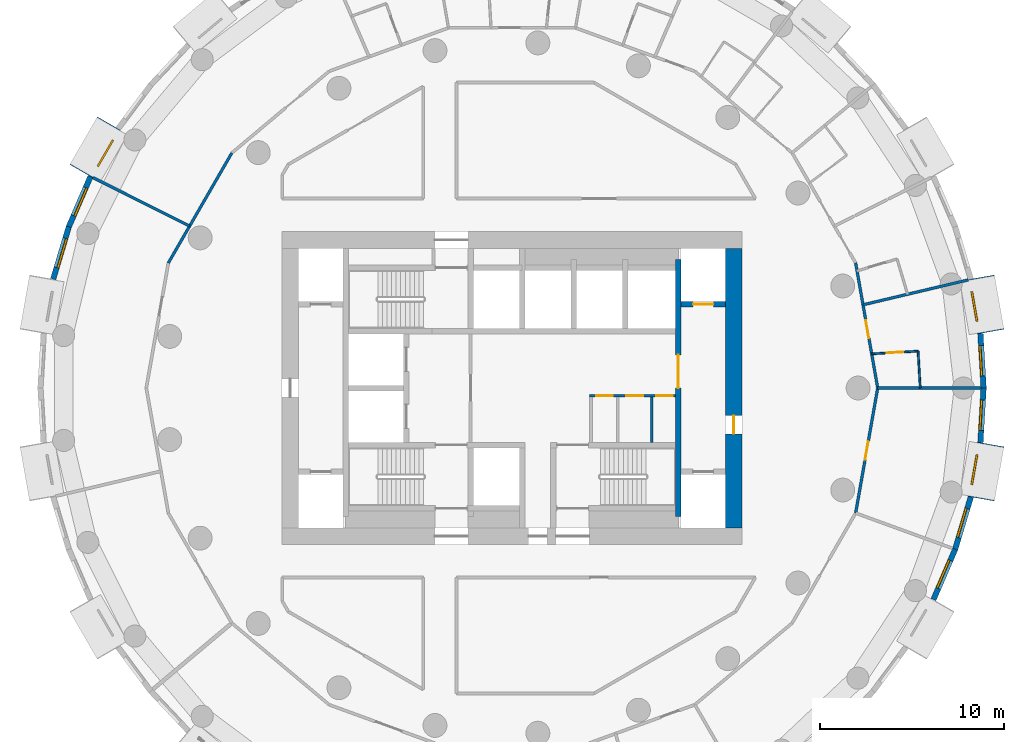
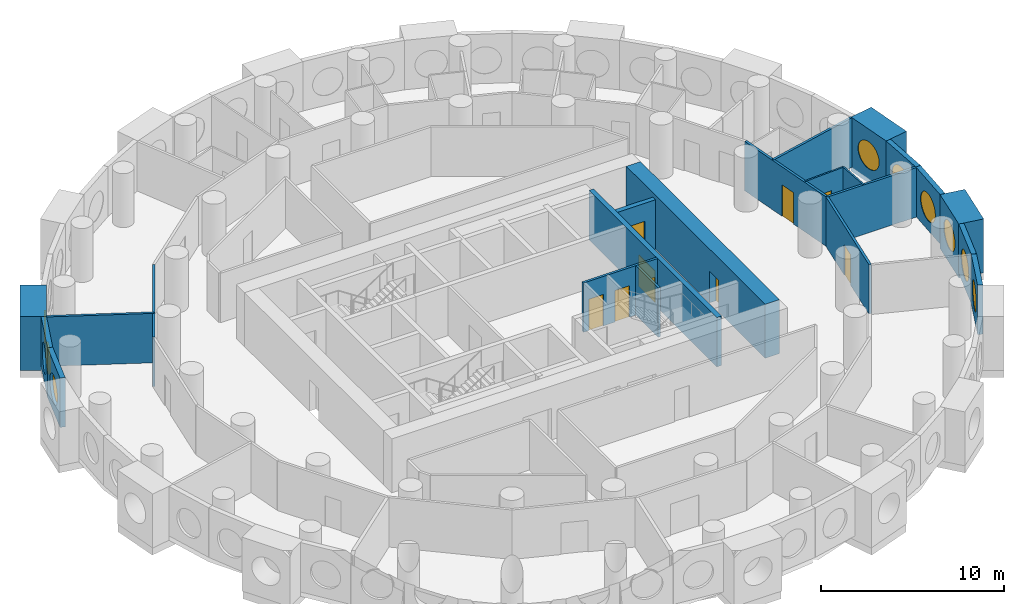
# One storey, part 5 of 10: 22 walls, 9 doors, 9 windows, 18 openings.
"""IFC4 building model written with IfcOpenShell, lengths in metres."""

from ifc_helpers import new_model, si_unit, direction, frame, frame_2d, origin, origin_2d, place, context, subcontext, project, spatial, rectangle, circle, extrude, material, layer, layer_set, type_object, element, fill, save


model = new_model("IFC4")

# Units and contexts
model_context = context("Model", 3, precision=1e-05, world=origin(), true_north=direction((0.0, 1.0)))
body_context = subcontext(model_context, "Body", "Model", "MODEL_VIEW")
ifc_project = project(units=[si_unit("LENGTHUNIT", "METRE"), si_unit("AREAUNIT", "SQUARE_METRE"), si_unit("VOLUMEUNIT", "CUBIC_METRE"), si_unit("PLANEANGLEUNIT", "RADIAN"), si_unit("MASSUNIT", "GRAM", prefix="KILO")], contexts=[model_context])

# Site, building, storey
site_placement = place(None, origin())
site = spatial("IfcSite", under=ifc_project, at=site_placement, CompositionType="ELEMENT")
building_placement = place(site_placement, origin())
building = spatial("IfcBuilding", under=site, at=building_placement, Name="Tracery Tower", CompositionType="ELEMENT")
storey_placement = place(building_placement, frame((0.0, 0.0, 158.39990234375)))
storey = spatial("IfcBuildingStorey", under=building, at=storey_placement, Name="L40", CompositionType="ELEMENT", Elevation=158.39990234375)

# Wall, openings, doors
ifc_material_1 = material(Name="Plasterboard on steel studs", Category="steel")
ifc_layer_1 = layer(ifc_material_1, 0.14990234375)
ifc_layer_set_1 = layer_set([ifc_layer_1], Name="Core room partition 150")
wall_type_1 = type_object("IfcWallType", Name="Core room partition 150", PredefinedType="SOLIDWALL", material=ifc_layer_set_1)
wall_1_placement = place(storey_placement, frame((4.22509765625, -0.425048828125, 0.0), z_axis=(0.0, 0.0, 1.0), x_axis=(1.0, 0.0, 0.0)))
wall_1 = element("IfcWall", 1, at=wall_1_placement, inside=storey, type_object=wall_type_1, Name="L40 slot N", PredefinedType="SOLIDWALL", context=body_context, shape_type="SweptSolid", body=[
    extrude(rectangle(XDim=4.6748046875, YDim=0.14990234375, at=frame_2d((2.33740234375, 0.0))), origin(), (0.0, 0.0, 1.0), 3.300048828125),
])
opening_1_placement = place(wall_1_placement, frame((0.35009765625, 0.0, 0.0)))
opening_1 = element("IfcOpeningElement", 2, at=opening_1_placement, cuts=wall_1, Name="Opening KD27", PredefinedType="OPENING", context=body_context, shape_type="SweptSolid", body=[
    extrude(rectangle(XDim=0.89990234375, YDim=2.10009765625, at=frame_2d((0.449951171875, 1.050048828125))), frame((0.0, 0.074951171875, 0.0), z_axis=(0.0, -1.0, 0.0), x_axis=(1.0, 0.0, 0.0)), (0.0, 0.0, 1.0), 0.14990234375),
])
opening_2_placement = place(wall_1_placement, frame((2.0, 0.0, 0.0)))
opening_2 = element("IfcOpeningElement", 3, at=opening_2_placement, cuts=wall_1, Name="Opening KD21", PredefinedType="OPENING", context=body_context, shape_type="SweptSolid", body=[
    extrude(rectangle(XDim=0.89990234375, YDim=2.10009765625, at=frame_2d((0.449951171875, 1.050048828125))), frame((0.0, 0.074951171875, 0.0), z_axis=(0.0, -1.0, 0.0), x_axis=(1.0, 0.0, 0.0)), (0.0, 0.0, 1.0), 0.14990234375),
])
opening_3_placement = place(wall_1_placement, frame((3.612548828125, 0.0, 0.0)))
opening_3 = element("IfcOpeningElement", 4, at=opening_3_placement, cuts=wall_1, Name="Opening KD32", PredefinedType="OPENING", context=body_context, shape_type="SweptSolid", body=[
    extrude(rectangle(XDim=0.89990234375, YDim=2.10009765625, at=frame_2d((0.449951171875, 1.050048828125))), frame((0.0, 0.074951171875, 0.0), z_axis=(0.0, -1.0, 0.0), x_axis=(1.0, 0.0, 0.0)), (0.0, 0.0, 1.0), 0.14990234375),
])
ifc_material_2 = material(Name="Timber door leaf", Category="wood")
door_type_1 = type_object("IfcDoorType", Name="Core WC door 900", OperationType="NOTDEFINED", PredefinedType="DOOR", material=ifc_material_2)
door_1_placement = place(opening_2_placement, origin())
door_1 = element("IfcDoor", 5, at=door_1_placement, inside=storey, type_object=door_type_1, Name="Core door", OperationType="SINGLE_SWING_LEFT", OverallHeight=2.10009765625, OverallWidth=0.89990234375, PredefinedType="DOOR", context=body_context, shape_type="SweptSolid", body=[
    extrude(rectangle(XDim=0.89990234375, YDim=2.10009765625, at=frame_2d((0.449951171875, 1.050048828125))), frame((0.0, 0.02490234375, 0.0), z_axis=(0.0, -1.0, 0.0), x_axis=(1.0, 0.0, 0.0)), (0.0, 0.0, 1.0), 0.050048828125),
])
fill(opening_2, door_1)
ifc_material_3 = material(Name="Steel fire door", Category="steel")
door_type_2 = type_object("IfcDoorType", Name="Core riser door 900", OperationType="NOTDEFINED", PredefinedType="DOOR", material=ifc_material_3)
door_2_placement = place(opening_3_placement, origin())
door_2 = element("IfcDoor", 6, at=door_2_placement, inside=storey, type_object=door_type_2, Name="Core door", OperationType="SINGLE_SWING_RIGHT", OverallHeight=2.10009765625, OverallWidth=0.89990234375, PredefinedType="DOOR", context=body_context, shape_type="SweptSolid", body=[
    extrude(rectangle(XDim=0.89990234375, YDim=2.10009765625, at=frame_2d((0.449951171875, 1.050048828125))), frame((0.0, 0.02490234375, 0.0), z_axis=(0.0, -1.0, 0.0), x_axis=(1.0, 0.0, 0.0)), (0.0, 0.0, 1.0), 0.050048828125),
])
fill(opening_3, door_2)
ifc_material_4 = material(Name="Timber door leaf", Category="wood")
door_type_3 = type_object("IfcDoorType", Name="Core store door 900", OperationType="NOTDEFINED", PredefinedType="DOOR", material=ifc_material_4)
door_3_placement = place(opening_1_placement, origin())
door_3 = element("IfcDoor", 7, at=door_3_placement, inside=storey, type_object=door_type_3, Name="Core door", OperationType="SINGLE_SWING_RIGHT", OverallHeight=2.10009765625, OverallWidth=0.89990234375, PredefinedType="DOOR", context=body_context, shape_type="SweptSolid", body=[
    extrude(rectangle(XDim=0.89990234375, YDim=2.10009765625, at=frame_2d((0.449951171875, 1.050048828125))), frame((0.0, 0.02490234375, 0.0), z_axis=(0.0, -1.0, 0.0), x_axis=(1.0, 0.0, 0.0)), (0.0, 0.0, 1.0), 0.050048828125),
])
fill(opening_1, door_3)

# Wall
wall_2_placement = place(storey_placement, frame((7.60009765625, -2.949951171875, 0.0), z_axis=(0.0, 0.0, 1.0), x_axis=(0.0, 1.0, 0.0)))
element("IfcWall", 8, at=wall_2_placement, inside=storey, type_object=wall_type_1, Name="L40 slot sep 2", PredefinedType="SOLIDWALL", context=body_context, shape_type="SweptSolid", body=[
    extrude(rectangle(XDim=2.449951171875, YDim=0.14990234375, at=frame_2d((1.22509765625, 0.0))), origin(), (0.0, 0.0, 1.0), 3.300048828125),
])

# Wall, opening, door
ifc_material_5 = material(Name="Concrete C50/60", Category="concrete")
ifc_layer_2 = layer(ifc_material_5, 0.89990234375)
ifc_layer_set_2 = layer_set([ifc_layer_2], Name="Core wall 900 C50")
wall_type_2 = type_object("IfcWallType", Name="Core wall 900 C50", PredefinedType="SOLIDWALL", material=ifc_layer_set_2)
wall_3_placement = place(storey_placement, frame((12.050048828125, -7.60009765625, 0.0), z_axis=(0.0, 0.0, 1.0), x_axis=(0.0, 1.0, 0.0)))
wall_3 = element("IfcWall", 9, at=wall_3_placement, inside=storey, type_object=wall_type_2, Name="L40 outer E", PredefinedType="SOLIDWALL", context=body_context, shape_type="SweptSolid", body=[
    extrude(rectangle(XDim=15.2001953125, YDim=0.89990234375, at=frame_2d((7.60009765625, 0.0))), origin(), (0.0, 0.0, 1.0), 3.60009765625),
])
opening_4_placement = place(wall_3_placement, frame((5.10009765625, 0.0, 0.0)))
opening_4 = element("IfcOpeningElement", 10, at=opening_4_placement, cuts=wall_3, Name="Opening KD18", PredefinedType="OPENING", context=body_context, shape_type="SweptSolid", body=[
    extrude(rectangle(XDim=1.0, YDim=2.10009765625, at=frame_2d((0.5, 1.050048828125))), frame((0.0, 0.449951171875, 0.0), z_axis=(0.0, -1.0, 0.0), x_axis=(1.0, 0.0, 0.0)), (0.0, 0.0, 1.0), 0.89990234375),
])
ifc_material_6 = material(Name="Steel fire door", Category="steel")
door_type_4 = type_object("IfcDoorType", Name="Core exit door 1000", OperationType="NOTDEFINED", PredefinedType="DOOR", material=ifc_material_6)
door_4_placement = place(opening_4_placement, origin())
door_4 = element("IfcDoor", 11, at=door_4_placement, inside=storey, type_object=door_type_4, Name="Core exit door", OperationType="DOUBLE_DOOR_SINGLE_SWING", OverallHeight=2.10009765625, OverallWidth=1.0, PredefinedType="DOOR", context=body_context, shape_type="SweptSolid", body=[
    extrude(rectangle(XDim=1.0, YDim=2.10009765625, at=frame_2d((0.5, 1.050048828125))), frame((0.0, 0.02490234375, 0.0), z_axis=(0.0, -1.0, 0.0), x_axis=(1.0, 0.0, 0.0)), (0.0, 0.0, 1.0), 0.050048828125),
])
fill(opening_4, door_4)

# Wall, opening, window
ifc_material_7 = material(Name="Precast concrete C50/60", Category="concrete")
ifc_layer_3 = layer(ifc_material_7, 1.449951171875)
ifc_layer_set_3 = layer_set([ifc_layer_3], Name="Deep-set bay unit 3000 x 3600, slab edge 300")
wall_type_3 = type_object("IfcWallType", Name="Deep-set bay unit 3000 x 3600, slab edge 300", PredefinedType="ELEMENTEDWALL", material=ifc_layer_set_3)
wall_4_placement = place(storey_placement, frame((26.041748046875, 3.06884765625, -0.2998046875), z_axis=(0.0, 0.0, 1.0), x_axis=(-0.173669267716, 0.984804034035, 0.0)))
wall_4 = element("IfcWall", 12, at=wall_4_placement, inside=storey, type_object=wall_type_3, Name="Deep-set bay unit 2 at L40", PredefinedType="ELEMENTEDWALL", context=body_context, shape_type="SweptSolid", body=[
    extrude(rectangle(XDim=3.0, YDim=1.449951171875, at=frame_2d((1.5, 0.0))), origin(), (0.0, 0.0, 1.0), 3.599853515625),
])
opening_5_placement = place(wall_4_placement, frame((1.5, 0.0, 1.85009765625)))
opening_5 = element("IfcOpeningElement", 13, at=opening_5_placement, cuts=wall_4, Name="Opening WN1", PredefinedType="OPENING", context=body_context, shape_type="SweptSolid", body=[
    extrude(circle(Radius=0.9000244140625, at=origin_2d()), frame((0.0, 0.73486328125, 0.0), z_axis=(0.0, -1.0, 0.0), x_axis=(1.0, 0.0, 0.0)), (0.0, 0.0, 1.0), 1.469970703125),
])
ifc_material_8 = material(Name="Aluminium frame with tinted double glazing", Category="aluminium")
window_type = type_object("IfcWindowType", Name="Round window 1800", PartitioningType="SINGLE_PANEL", PredefinedType="WINDOW", material=ifc_material_8)
window_1_placement = place(opening_5_placement, origin())
window_1 = element("IfcWindow", 14, at=window_1_placement, inside=storey, type_object=window_type, Name="Round window 2 at L40", OverallHeight=1.800048828125, OverallWidth=1.800048828125, PartitioningType="SINGLE_PANEL", PredefinedType="WINDOW", context=body_context, shape_type="SweptSolid", body=[
    extrude(circle(Radius=0.9000244140625, at=origin_2d()), frame((0.0, 0.69482421875, 0.0), z_axis=(0.0, -1.0, 0.0), x_axis=(1.0, 0.0, 0.0)), (0.0, 0.0, 1.0), 0.10009765625),
])
fill(opening_5, window_1)

wall_5_placement = place(storey_placement, frame((-21.921630859375, 14.388671875, -0.2998046875), z_axis=(0.0, 0.0, 1.0), x_axis=(-0.499990139034, -0.866031096941, 0.0)))
wall_5 = element("IfcWall", 15, at=wall_5_placement, inside=storey, type_object=wall_type_3, Name="Deep-set bay unit 23 at L40", PredefinedType="ELEMENTEDWALL", context=body_context, shape_type="SweptSolid", body=[
    extrude(rectangle(XDim=3.0, YDim=1.449951171875, at=frame_2d((1.5, 0.0))), origin(), (0.0, 0.0, 1.0), 3.599853515625),
])
opening_6_placement = place(wall_5_placement, frame((1.5, 0.0, 1.85009765625)))
opening_6 = element("IfcOpeningElement", 16, at=opening_6_placement, cuts=wall_5, Name="Opening WN1", PredefinedType="OPENING", context=body_context, shape_type="SweptSolid", body=[
    extrude(circle(Radius=0.9000244140625, at=origin_2d()), frame((0.0, 0.73486328125, 0.0), z_axis=(0.0, -1.0, 0.0), x_axis=(1.0, 0.0, 0.0)), (0.0, 0.0, 1.0), 1.469970703125),
])
window_2_placement = place(opening_6_placement, origin())
window_2 = element("IfcWindow", 17, at=window_2_placement, inside=storey, type_object=window_type, Name="Round window 23 at L40", OverallHeight=1.800048828125, OverallWidth=1.800048828125, PartitioningType="SINGLE_PANEL", PredefinedType="WINDOW", context=body_context, shape_type="SweptSolid", body=[
    extrude(circle(Radius=0.9000244140625, at=origin_2d()), frame((0.0, 0.69482421875, 0.0), z_axis=(0.0, -1.0, 0.0), x_axis=(1.0, 0.0, 0.0)), (0.0, 0.0, 1.0), 0.10009765625),
])
fill(opening_6, window_2)

wall_6_placement = place(storey_placement, frame((25.520751953125, -6.023193359375, -0.2998046875), z_axis=(0.0, 0.0, 1.0), x_axis=(0.173669267716, 0.984804034035, 0.0)))
wall_6 = element("IfcWall", 18, at=wall_6_placement, inside=storey, type_object=wall_type_3, Name="Deep-set bay unit 53 at L40", PredefinedType="ELEMENTEDWALL", context=body_context, shape_type="SweptSolid", body=[
    extrude(rectangle(XDim=3.0, YDim=1.449951171875, at=frame_2d((1.5, 0.0))), origin(), (0.0, 0.0, 1.0), 3.599853515625),
])
opening_7_placement = place(wall_6_placement, frame((1.5, 0.0, 1.85009765625)))
opening_7 = element("IfcOpeningElement", 19, at=opening_7_placement, cuts=wall_6, Name="Opening WN1", PredefinedType="OPENING", context=body_context, shape_type="SweptSolid", body=[
    extrude(circle(Radius=0.9000244140625, at=origin_2d()), frame((0.0, 0.73486328125, 0.0), z_axis=(0.0, -1.0, 0.0), x_axis=(1.0, 0.0, 0.0)), (0.0, 0.0, 1.0), 1.469970703125),
])
window_3_placement = place(opening_7_placement, origin())
window_3 = element("IfcWindow", 20, at=window_3_placement, inside=storey, type_object=window_type, Name="Round window 53 at L40", OverallHeight=1.800048828125, OverallWidth=1.800048828125, PartitioningType="SINGLE_PANEL", PredefinedType="WINDOW", context=body_context, shape_type="SweptSolid", body=[
    extrude(circle(Radius=0.9000244140625, at=origin_2d()), frame((0.0, 0.69482421875, 0.0), z_axis=(0.0, -1.0, 0.0), x_axis=(1.0, 0.0, 0.0)), (0.0, 0.0, 1.0), 0.10009765625),
])
fill(opening_7, window_3)

ifc_material_9 = material(Name="Precast concrete C50/60", Category="concrete")
ifc_layer_4 = layer(ifc_material_9, 0.300048828125)
ifc_layer_set_4 = layer_set([ifc_layer_4], Name="Facade panel 3000 x 3300")
wall_type_4 = type_object("IfcWallType", Name="Facade panel 3000 x 3300", PredefinedType="SOLIDWALL", material=ifc_layer_set_4)
wall_7_placement = place(storey_placement, frame((25.6474609375, 0.0, 0.0), z_axis=(0.0, 0.0, 1.0), x_axis=(-0.058144307138, 0.998308188661, 0.0)))
wall_7 = element("IfcWall", 21, at=wall_7_placement, inside=storey, type_object=wall_type_4, Name="Facade panel 1 at L40", PredefinedType="SOLIDWALL", context=body_context, shape_type="SweptSolid", body=[
    extrude(rectangle(XDim=2.972900390625, YDim=0.300048828125, at=frame_2d((1.486328125, 0.0))), origin(), (0.0, 0.0, 1.0), 3.300048828125),
])
opening_8_placement = place(wall_7_placement, frame((1.486328125, 0.0, 1.5498046875)))
opening_8 = element("IfcOpeningElement", 22, at=opening_8_placement, cuts=wall_7, Name="Opening WN1", PredefinedType="OPENING", context=body_context, shape_type="SweptSolid", body=[
    extrude(circle(Radius=0.9000244140625, at=origin_2d()), frame((0.0, 0.159912109375, 0.0), z_axis=(0.0, -1.0, 0.0), x_axis=(1.0, 0.0, 0.0)), (0.0, 0.0, 1.0), 0.320068359375),
])
window_4_placement = place(opening_8_placement, origin())
window_4 = element("IfcWindow", 23, at=window_4_placement, inside=storey, type_object=window_type, Name="Round window 1 at L40", OverallHeight=1.800048828125, OverallWidth=1.800048828125, PartitioningType="SINGLE_PANEL", PredefinedType="WINDOW", context=body_context, shape_type="SweptSolid", body=[
    extrude(circle(Radius=0.9000244140625, at=origin_2d()), frame((0.0, 0.1201171875, 0.0), z_axis=(0.0, -1.0, 0.0), x_axis=(1.0, 0.0, 0.0)), (0.0, 0.0, 1.0), 0.10009765625),
])
fill(opening_8, window_4)

wall_8_placement = place(storey_placement, frame((-22.923095703125, 11.501708984375, 0.0), z_axis=(0.0, 0.0, 1.0), x_axis=(-0.396148129016, -0.918186614952, 0.0)))
wall_8 = element("IfcWall", 24, at=wall_8_placement, inside=storey, type_object=wall_type_4, Name="Facade panel 24 at L40", PredefinedType="SOLIDWALL", context=body_context, shape_type="SweptSolid", body=[
    extrude(rectangle(XDim=2.972900390625, YDim=0.300048828125, at=frame_2d((1.486328125, 0.0))), origin(), (0.0, 0.0, 1.0), 3.300048828125),
])
opening_9_placement = place(wall_8_placement, frame((1.486328125, 0.0, 1.5498046875)))
opening_9 = element("IfcOpeningElement", 25, at=opening_9_placement, cuts=wall_8, Name="Opening WN1", PredefinedType="OPENING", context=body_context, shape_type="SweptSolid", body=[
    extrude(circle(Radius=0.9000244140625, at=origin_2d()), frame((0.0, 0.159912109375, 0.0), z_axis=(0.0, -1.0, 0.0), x_axis=(1.0, 0.0, 0.0)), (0.0, 0.0, 1.0), 0.320068359375),
])
window_5_placement = place(opening_9_placement, origin())
window_5 = element("IfcWindow", 26, at=window_5_placement, inside=storey, type_object=window_type, Name="Round window 24 at L40", OverallHeight=1.800048828125, OverallWidth=1.800048828125, PartitioningType="SINGLE_PANEL", PredefinedType="WINDOW", context=body_context, shape_type="SweptSolid", body=[
    extrude(circle(Radius=0.9000244140625, at=origin_2d()), frame((0.0, 0.1201171875, 0.0), z_axis=(0.0, -1.0, 0.0), x_axis=(1.0, 0.0, 0.0)), (0.0, 0.0, 1.0), 0.10009765625),
])
fill(opening_9, window_5)

wall_9_placement = place(storey_placement, frame((-24.100830078125, 8.77197265625, 0.0), z_axis=(0.0, 0.0, 1.0), x_axis=(-0.286782750849, -0.957995643944, 0.0)))
wall_9 = element("IfcWall", 27, at=wall_9_placement, inside=storey, type_object=wall_type_4, Name="Facade panel 25 at L40", PredefinedType="SOLIDWALL", context=body_context, shape_type="SweptSolid", body=[
    extrude(rectangle(XDim=2.97265625, YDim=0.300048828125, at=frame_2d((1.486328125, 0.0))), origin(), (0.0, 0.0, 1.0), 3.300048828125),
])
opening_10_placement = place(wall_9_placement, frame((1.486328125, 0.0, 1.5498046875)))
opening_10 = element("IfcOpeningElement", 28, at=opening_10_placement, cuts=wall_9, Name="Opening WN1", PredefinedType="OPENING", context=body_context, shape_type="SweptSolid", body=[
    extrude(circle(Radius=0.9000244140625, at=origin_2d()), frame((0.0, 0.159912109375, 0.0), z_axis=(0.0, -1.0, 0.0), x_axis=(1.0, 0.0, 0.0)), (0.0, 0.0, 1.0), 0.320068359375),
])
window_6_placement = place(opening_10_placement, origin())
window_6 = element("IfcWindow", 29, at=window_6_placement, inside=storey, type_object=window_type, Name="Round window 25 at L40", OverallHeight=1.800048828125, OverallWidth=1.800048828125, PartitioningType="SINGLE_PANEL", PredefinedType="WINDOW", context=body_context, shape_type="SweptSolid", body=[
    extrude(circle(Radius=0.9000244140625, at=origin_2d()), frame((0.0, 0.1201171875, 0.0), z_axis=(0.0, -1.0, 0.0), x_axis=(1.0, 0.0, 0.0)), (0.0, 0.0, 1.0), 0.10009765625),
])
fill(opening_10, window_6)

wall_10_placement = place(storey_placement, frame((22.923095703125, -11.501708984375, 0.0), z_axis=(0.0, 0.0, 1.0), x_axis=(0.396148129016, 0.918186614952, 0.0)))
wall_10 = element("IfcWall", 30, at=wall_10_placement, inside=storey, type_object=wall_type_4, Name="Facade panel 51 at L40", PredefinedType="SOLIDWALL", context=body_context, shape_type="SweptSolid", body=[
    extrude(rectangle(XDim=2.972900390625, YDim=0.300048828125, at=frame_2d((1.486328125, 0.0))), origin(), (0.0, 0.0, 1.0), 3.300048828125),
])
opening_11_placement = place(wall_10_placement, frame((1.486328125, 0.0, 1.5498046875)))
opening_11 = element("IfcOpeningElement", 31, at=opening_11_placement, cuts=wall_10, Name="Opening WN1", PredefinedType="OPENING", context=body_context, shape_type="SweptSolid", body=[
    extrude(circle(Radius=0.9000244140625, at=origin_2d()), frame((0.0, 0.159912109375, 0.0), z_axis=(0.0, -1.0, 0.0), x_axis=(1.0, 0.0, 0.0)), (0.0, 0.0, 1.0), 0.320068359375),
])
window_7_placement = place(opening_11_placement, origin())
window_7 = element("IfcWindow", 32, at=window_7_placement, inside=storey, type_object=window_type, Name="Round window 51 at L40", OverallHeight=1.800048828125, OverallWidth=1.800048828125, PartitioningType="SINGLE_PANEL", PredefinedType="WINDOW", context=body_context, shape_type="SweptSolid", body=[
    extrude(circle(Radius=0.9000244140625, at=origin_2d()), frame((0.0, 0.1201171875, 0.0), z_axis=(0.0, -1.0, 0.0), x_axis=(1.0, 0.0, 0.0)), (0.0, 0.0, 1.0), 0.10009765625),
])
fill(opening_11, window_7)

wall_11_placement = place(storey_placement, frame((24.100830078125, -8.77197265625, 0.0), z_axis=(0.0, 0.0, 1.0), x_axis=(0.286782750849, 0.957995643944, 0.0)))
wall_11 = element("IfcWall", 33, at=wall_11_placement, inside=storey, type_object=wall_type_4, Name="Facade panel 52 at L40", PredefinedType="SOLIDWALL", context=body_context, shape_type="SweptSolid", body=[
    extrude(rectangle(XDim=2.97265625, YDim=0.300048828125, at=frame_2d((1.486328125, 0.0))), origin(), (0.0, 0.0, 1.0), 3.300048828125),
])
opening_12_placement = place(wall_11_placement, frame((1.486328125, 0.0, 1.5498046875)))
opening_12 = element("IfcOpeningElement", 34, at=opening_12_placement, cuts=wall_11, Name="Opening WN1", PredefinedType="OPENING", context=body_context, shape_type="SweptSolid", body=[
    extrude(circle(Radius=0.9000244140625, at=origin_2d()), frame((0.0, 0.159912109375, 0.0), z_axis=(0.0, -1.0, 0.0), x_axis=(1.0, 0.0, 0.0)), (0.0, 0.0, 1.0), 0.320068359375),
])
window_8_placement = place(opening_12_placement, origin())
window_8 = element("IfcWindow", 35, at=window_8_placement, inside=storey, type_object=window_type, Name="Round window 52 at L40", OverallHeight=1.800048828125, OverallWidth=1.800048828125, PartitioningType="SINGLE_PANEL", PredefinedType="WINDOW", context=body_context, shape_type="SweptSolid", body=[
    extrude(circle(Radius=0.9000244140625, at=origin_2d()), frame((0.0, 0.1201171875, 0.0), z_axis=(0.0, -1.0, 0.0), x_axis=(1.0, 0.0, 0.0)), (0.0, 0.0, 1.0), 0.10009765625),
])
fill(opening_12, window_8)

wall_12_placement = place(storey_placement, frame((25.474609375, -2.9677734375, 0.0), z_axis=(0.0, 0.0, 1.0), x_axis=(0.058144307138, 0.998308188661, 0.0)))
wall_12 = element("IfcWall", 36, at=wall_12_placement, inside=storey, type_object=wall_type_4, Name="Facade panel 54 at L40", PredefinedType="SOLIDWALL", context=body_context, shape_type="SweptSolid", body=[
    extrude(rectangle(XDim=2.972900390625, YDim=0.300048828125, at=frame_2d((1.486328125, 0.0))), origin(), (0.0, 0.0, 1.0), 3.300048828125),
])
opening_13_placement = place(wall_12_placement, frame((1.486328125, 0.0, 1.5498046875)))
opening_13 = element("IfcOpeningElement", 37, at=opening_13_placement, cuts=wall_12, Name="Opening WN1", PredefinedType="OPENING", context=body_context, shape_type="SweptSolid", body=[
    extrude(circle(Radius=0.9000244140625, at=origin_2d()), frame((0.0, 0.159912109375, 0.0), z_axis=(0.0, -1.0, 0.0), x_axis=(1.0, 0.0, 0.0)), (0.0, 0.0, 1.0), 0.320068359375),
])
window_9_placement = place(opening_13_placement, origin())
window_9 = element("IfcWindow", 38, at=window_9_placement, inside=storey, type_object=window_type, Name="Round window 54 at L40", OverallHeight=1.800048828125, OverallWidth=1.800048828125, PartitioningType="SINGLE_PANEL", PredefinedType="WINDOW", context=body_context, shape_type="SweptSolid", body=[
    extrude(circle(Radius=0.9000244140625, at=origin_2d()), frame((0.0, 0.1201171875, 0.0), z_axis=(0.0, -1.0, 0.0), x_axis=(1.0, 0.0, 0.0)), (0.0, 0.0, 1.0), 0.10009765625),
])
fill(opening_13, window_9)

# Wall
ifc_material_10 = material(Name="Plasterboard on steel studs", Category="steel")
ifc_layer_5 = layer(ifc_material_10, 0.10009765625)
ifc_layer_set_5 = layer_set([ifc_layer_5], Name="Partition 100 wet wall")
wall_type_5 = type_object("IfcWallType", Name="Partition 100 wet wall", PredefinedType="PARTITIONING", material=ifc_layer_set_5)
wall_13_placement = place(storey_placement, frame((22.083984375, 2.0048828125, 0.0), z_axis=(0.0, 0.0, 1.0), x_axis=(0.058230299749, -0.998303176491, 0.0)))
element("IfcWall", 39, at=wall_13_placement, inside=storey, type_object=wall_type_5, Name="Wet wall RB4-039", PredefinedType="PARTITIONING", context=body_context, shape_type="SweptSolid", body=[
    extrude(rectangle(XDim=2.00830078125, YDim=0.10009765625, at=frame_2d((1.004150390625, 0.0))), origin(), (0.0, 0.0, 1.0), 3.300048828125),
])

# Wall, opening, door
wall_14_placement = place(storey_placement, frame((19.56005859375, 1.85791015625, 0.0), z_axis=(0.0, 0.0, 1.0), x_axis=(0.998308830473, 0.05813328651, 0.0)))
wall_14 = element("IfcWall", 40, at=wall_14_placement, inside=storey, type_object=wall_type_5, Name="Wet wall RB4-040", PredefinedType="PARTITIONING", context=body_context, shape_type="SweptSolid", body=[
    extrude(rectangle(XDim=2.5283203125, YDim=0.10009765625, at=frame_2d((1.26416015625, 0.0))), origin(), (0.0, 0.0, 1.0), 3.300048828125),
])
opening_14_placement = place(wall_14_placement, frame((0.814208984375, 0.0, 0.0)))
opening_14 = element("IfcOpeningElement", 41, at=opening_14_placement, cuts=wall_14, Name="Opening RB4-05", PredefinedType="OPENING", context=body_context, shape_type="SweptSolid", body=[
    extrude(rectangle(XDim=0.89990234375, YDim=2.0400390625, at=frame_2d((0.449951171875, 1.02001953125))), frame((0.0, 0.050048828125, 0.0), z_axis=(0.0, -1.0, 0.0), x_axis=(1.0, 0.0, 0.0)), (0.0, 0.0, 1.0), 0.10009765625),
])
ifc_material_11 = material(Name="Timber door leaf", Category="wood")
door_type_5 = type_object("IfcDoorType", Name="Door en-suite 900", OperationType="NOTDEFINED", PredefinedType="DOOR", material=ifc_material_11)
door_5_placement = place(opening_14_placement, origin())
door_5 = element("IfcDoor", 42, at=door_5_placement, inside=storey, type_object=door_type_5, Name="En-suite door RB4-05", OperationType="SINGLE_SWING_LEFT", OverallHeight=2.0400390625, OverallWidth=0.89990234375, PredefinedType="DOOR", context=body_context, shape_type="SweptSolid", body=[
    extrude(rectangle(XDim=0.89990234375, YDim=2.0400390625, at=frame_2d((0.449951171875, 1.02001953125))), frame((0.0, 0.02490234375, 0.0), z_axis=(0.0, -1.0, 0.0), x_axis=(1.0, 0.0, 0.0)), (0.0, 0.0, 1.0), 0.050048828125),
])
fill(opening_14, door_5)

# Walls
ifc_material_12 = material(Name="Plasterboard on steel studs", Category="steel")
ifc_layer_6 = layer(ifc_material_12, 0.14990234375)
ifc_layer_set_6 = layer_set([ifc_layer_6], Name="Partition 150 acoustic unit wall")
wall_type_6 = type_object("IfcWallType", Name="Partition 150 acoustic unit wall", PredefinedType="PARTITIONING", material=ifc_layer_set_6)
wall_15_placement = place(storey_placement, frame((19.089599609375, 4.525390625, 0.0), z_axis=(0.0, 0.0, 1.0), x_axis=(0.973093766115, 0.230409466707, 0.0)))
element("IfcWall", 43, at=wall_15_placement, inside=storey, type_object=wall_type_6, Name="Unit wall RB4-041", PredefinedType="PARTITIONING", context=body_context, shape_type="SweptSolid", body=[
    extrude(rectangle(XDim=5.878662109375, YDim=0.14990234375, at=frame_2d((2.939453125, 0.0))), origin(), (0.0, 0.0, 1.0), 3.300048828125),
])
wall_16_placement = place(storey_placement, frame((19.887939453125, 0.0, 0.0), z_axis=(0.0, 0.0, 1.0), x_axis=(1.0, 0.0, 0.0)))
element("IfcWall", 44, at=wall_16_placement, inside=storey, type_object=wall_type_6, Name="Unit wall RB4-042", PredefinedType="PARTITIONING", context=body_context, shape_type="SweptSolid", body=[
    extrude(rectangle(XDim=5.609130859375, YDim=0.14990234375, at=frame_2d((2.8046875, 0.0))), origin(), (0.0, 0.0, 1.0), 3.300048828125),
])
wall_17_placement = place(storey_placement, frame((-22.784912109375, 11.443115234375, 0.0), z_axis=(0.0, 0.0, 1.0), x_axis=(0.893628331628, -0.448807759415, 0.0)))
element("IfcWall", 45, at=wall_17_placement, inside=storey, type_object=wall_type_6, Name="Unit wall RB4-069", PredefinedType="PARTITIONING", context=body_context, shape_type="SweptSolid", body=[
    extrude(rectangle(XDim=5.878173828125, YDim=0.14990234375, at=frame_2d((2.93896484375, 0.0))), origin(), (0.0, 0.0, 1.0), 3.300048828125),
])

# Wall, opening, door
ifc_material_13 = material(Name="Plasterboard on steel studs", Category="steel")
ifc_layer_7 = layer(ifc_material_13, 0.14990234375)
ifc_layer_set_7 = layer_set([ifc_layer_7], Name="Partition 150 corridor wall")
wall_type_7 = type_object("IfcWallType", Name="Partition 150 corridor wall", PredefinedType="PARTITIONING", material=ifc_layer_set_7)
wall_18_placement = place(storey_placement, frame((18.6875, 6.802001953125, 0.0), z_axis=(0.0, 0.0, 1.0), x_axis=(0.173831710537, -0.984775373581, 0.0)))
wall_18 = element("IfcWall", 46, at=wall_18_placement, inside=storey, type_object=wall_type_7, Name="Corridor wall RB4-007", PredefinedType="PARTITIONING", context=body_context, shape_type="SweptSolid", body=[
    extrude(rectangle(XDim=6.9072265625, YDim=0.14990234375, at=frame_2d((3.45361328125, 0.0))), origin(), (0.0, 0.0, 1.0), 3.300048828125),
])
opening_15_placement = place(wall_18_placement, frame((3.1669921875, 0.0, 0.0)))
opening_15 = element("IfcOpeningElement", 47, at=opening_15_placement, cuts=wall_18, Name="Opening RB4-06", PredefinedType="OPENING", context=body_context, shape_type="SweptSolid", body=[
    extrude(rectangle(XDim=1.0, YDim=2.10009765625, at=frame_2d((0.5, 1.050048828125))), frame((0.0, 0.074951171875, 0.0), z_axis=(0.0, -1.0, 0.0), x_axis=(1.0, 0.0, 0.0)), (0.0, 0.0, 1.0), 0.14990234375),
])
ifc_material_14 = material(Name="Timber door leaf", Category="wood")
door_type_6 = type_object("IfcDoorType", Name="Door unit entrance 1000", OperationType="NOTDEFINED", PredefinedType="DOOR", material=ifc_material_14)
door_6_placement = place(opening_15_placement, origin())
door_6 = element("IfcDoor", 48, at=door_6_placement, inside=storey, type_object=door_type_6, Name="Unit entrance door RB4-06", OperationType="SINGLE_SWING_RIGHT", OverallHeight=2.10009765625, OverallWidth=1.0, PredefinedType="DOOR", context=body_context, shape_type="SweptSolid", body=[
    extrude(rectangle(XDim=1.0, YDim=2.10009765625, at=frame_2d((0.5, 1.050048828125))), frame((0.0, 0.02490234375, 0.0), z_axis=(0.0, -1.0, 0.0), x_axis=(1.0, 0.0, 0.0)), (0.0, 0.0, 1.0), 0.050048828125),
])
fill(opening_15, door_6)

wall_19_placement = place(storey_placement, frame((18.68798828125, -6.802001953125, 0.0), z_axis=(0.0, 0.0, 1.0), x_axis=(0.173728873845, 0.98479352069, 0.0)))
wall_19 = element("IfcWall", 49, at=wall_19_placement, inside=storey, type_object=wall_type_7, Name="Corridor wall RB4-012", PredefinedType="PARTITIONING", context=body_context, shape_type="SweptSolid", body=[
    extrude(rectangle(XDim=6.906982421875, YDim=0.14990234375, at=frame_2d((3.45361328125, 0.0))), origin(), (0.0, 0.0, 1.0), 3.300048828125),
])
opening_16_placement = place(wall_19_placement, frame((2.952880859375, 0.0, 0.0)))
opening_16 = element("IfcOpeningElement", 50, at=opening_16_placement, cuts=wall_19, Name="Opening RB4-29", PredefinedType="OPENING", context=body_context, shape_type="SweptSolid", body=[
    extrude(rectangle(XDim=1.0, YDim=2.0400390625, at=frame_2d((0.5, 1.02001953125))), frame((0.0, 0.074951171875, 0.0), z_axis=(0.0, -1.0, 0.0), x_axis=(1.0, 0.0, 0.0)), (0.0, 0.0, 1.0), 0.14990234375),
])
ifc_material_15 = material(Name="Timber door leaf", Category="wood")
door_type_7 = type_object("IfcDoorType", Name="Door communal room 1000", OperationType="NOTDEFINED", PredefinedType="DOOR", material=ifc_material_15)
door_7_placement = place(opening_16_placement, origin())
door_7 = element("IfcDoor", 51, at=door_7_placement, inside=storey, type_object=door_type_7, Name="Communal room door RB4-29", OperationType="SINGLE_SWING_RIGHT", OverallHeight=2.0400390625, OverallWidth=1.0, PredefinedType="DOOR", context=body_context, shape_type="SweptSolid", body=[
    extrude(rectangle(XDim=1.0, YDim=2.0400390625, at=frame_2d((0.5, 1.02001953125))), frame((0.0, 0.02490234375, 0.0), z_axis=(0.0, -1.0, 0.0), x_axis=(1.0, 0.0, 0.0)), (0.0, 0.0, 1.0), 0.050048828125),
])
fill(opening_16, door_7)

# Wall
wall_20_placement = place(storey_placement, frame((-18.68798828125, 6.802001953125, 0.0), z_axis=(0.0, 0.0, 1.0), x_axis=(0.499914202267, 0.866074933462, 0.0)))
element("IfcWall", 52, at=wall_20_placement, inside=storey, type_object=wall_type_7, Name="Corridor wall RB4-026", PredefinedType="PARTITIONING", context=body_context, shape_type="SweptSolid", body=[
    extrude(rectangle(XDim=6.906982421875, YDim=0.14990234375, at=frame_2d((3.45361328125, 0.0))), origin(), (0.0, 0.0, 1.0), 3.300048828125),
])

# Wall, opening, door
ifc_material_16 = material(Name="Concrete C50/60", Category="concrete")
ifc_layer_8 = layer(ifc_material_16, 0.300048828125)
ifc_layer_set_8 = layer_set([ifc_layer_8], Name="Shaft wall 300 C50")
wall_type_8 = type_object("IfcWallType", Name="Shaft wall 300 C50", PredefinedType="SOLIDWALL", material=ifc_layer_set_8)
wall_21_placement = place(storey_placement, frame((9.199951171875, 4.550048828125, 0.0), z_axis=(0.0, 0.0, 1.0), x_axis=(1.0, 0.0, 0.0)))
wall_21 = element("IfcWall", 53, at=wall_21_placement, inside=storey, type_object=wall_type_8, Name="L40 MR E +4.55", PredefinedType="SOLIDWALL", context=body_context, shape_type="SweptSolid", body=[
    extrude(rectangle(XDim=2.400146484375, YDim=0.300048828125, at=frame_2d((1.2001953125, 0.0))), origin(), (0.0, 0.0, 1.0), 3.300048828125),
])
opening_17_placement = place(wall_21_placement, frame((0.64990234375, 0.0, 0.0)))
opening_17 = element("IfcOpeningElement", 54, at=opening_17_placement, cuts=wall_21, Name="Opening KD49", PredefinedType="OPENING", context=body_context, shape_type="SweptSolid", body=[
    extrude(rectangle(XDim=1.10009765625, YDim=2.10009765625, at=frame_2d((0.550048828125, 1.050048828125))), frame((0.0, 0.14990234375, 0.0), z_axis=(0.0, -1.0, 0.0), x_axis=(1.0, 0.0, 0.0)), (0.0, 0.0, 1.0), 0.300048828125),
])
ifc_material_17 = material(Name="Steel fire door", Category="steel")
door_type_8 = type_object("IfcDoorType", Name="Landing door 1100", OperationType="NOTDEFINED", PredefinedType="DOOR", material=ifc_material_17)
door_8_placement = place(opening_17_placement, origin())
door_8 = element("IfcDoor", 55, at=door_8_placement, inside=storey, type_object=door_type_8, Name="Landing door MR4", OperationType="SLIDING_TO_LEFT", OverallHeight=2.10009765625, OverallWidth=1.10009765625, PredefinedType="DOOR", context=body_context, shape_type="SweptSolid", body=[
    extrude(rectangle(XDim=1.10009765625, YDim=2.10009765625, at=frame_2d((0.550048828125, 1.050048828125))), frame((0.0, 0.02490234375, 0.0), z_axis=(0.0, -1.0, 0.0), x_axis=(1.0, 0.0, 0.0)), (0.0, 0.0, 1.0), 0.050048828125),
])
fill(opening_17, door_8)

ifc_material_18 = material(Name="Concrete C50/60", Category="concrete")
ifc_layer_9 = layer(ifc_material_18, 0.300048828125)
ifc_layer_set_9 = layer_set([ifc_layer_9], Name="Stair wall 300 C50")
wall_type_9 = type_object("IfcWallType", Name="Stair wall 300 C50", PredefinedType="SOLIDWALL", material=ifc_layer_set_9)
wall_22_placement = place(storey_placement, frame((9.050048828125, -7.0, 0.0), z_axis=(0.0, 0.0, 1.0), x_axis=(0.0, 1.0, 0.0)))
wall_22 = element("IfcWall", 56, at=wall_22_placement, inside=storey, type_object=wall_type_9, Name="L40 F wall +9", PredefinedType="SOLIDWALL", context=body_context, shape_type="SweptSolid", body=[
    extrude(rectangle(XDim=14.0, YDim=0.300048828125, at=frame_2d((7.0, 0.0))), origin(), (0.0, 0.0, 1.0), 3.300048828125),
])
opening_18_placement = place(wall_22_placement, frame((7.0, 0.0, 0.0)))
opening_18 = element("IfcOpeningElement", 57, at=opening_18_placement, cuts=wall_22, Name="Opening KD13", PredefinedType="OPENING", context=body_context, shape_type="SweptSolid", body=[
    extrude(rectangle(XDim=1.800048828125, YDim=2.10009765625, at=frame_2d((0.89990234375, 1.050048828125))), frame((0.0, 0.14990234375, 0.0), z_axis=(0.0, -1.0, 0.0), x_axis=(1.0, 0.0, 0.0)), (0.0, 0.0, 1.0), 0.300048828125),
])
ifc_material_19 = material(Name="Steel fire door", Category="steel")
door_type_9 = type_object("IfcDoorType", Name="Core exit door 1800 double", OperationType="NOTDEFINED", PredefinedType="DOOR", material=ifc_material_19)
door_9_placement = place(opening_18_placement, origin())
door_9 = element("IfcDoor", 58, at=door_9_placement, inside=storey, type_object=door_type_9, Name="Core exit door", OperationType="DOUBLE_DOOR_SINGLE_SWING", OverallHeight=2.10009765625, OverallWidth=1.800048828125, PredefinedType="DOOR", context=body_context, shape_type="SweptSolid", body=[
    extrude(rectangle(XDim=1.800048828125, YDim=2.10009765625, at=frame_2d((0.89990234375, 1.050048828125))), frame((0.0, 0.02490234375, 0.0), z_axis=(0.0, -1.0, 0.0), x_axis=(1.0, 0.0, 0.0)), (0.0, 0.0, 1.0), 0.050048828125),
])
fill(opening_18, door_9)

save(model, "model.ifc")
